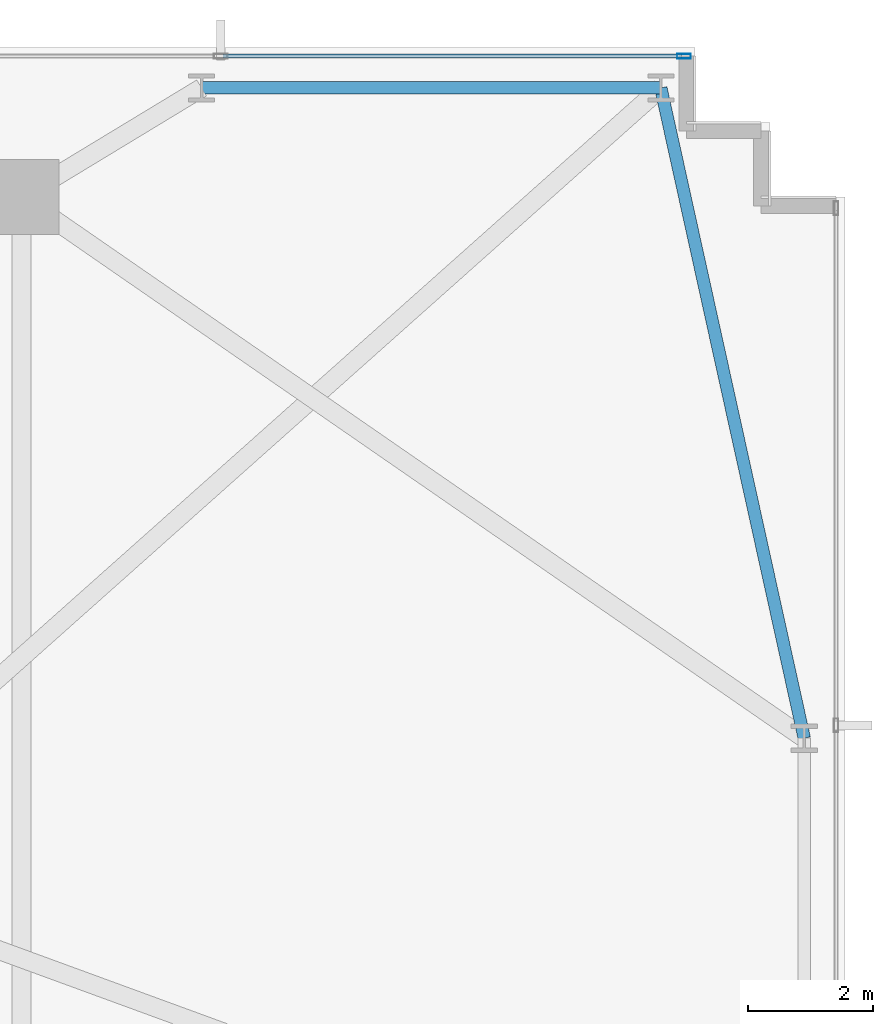
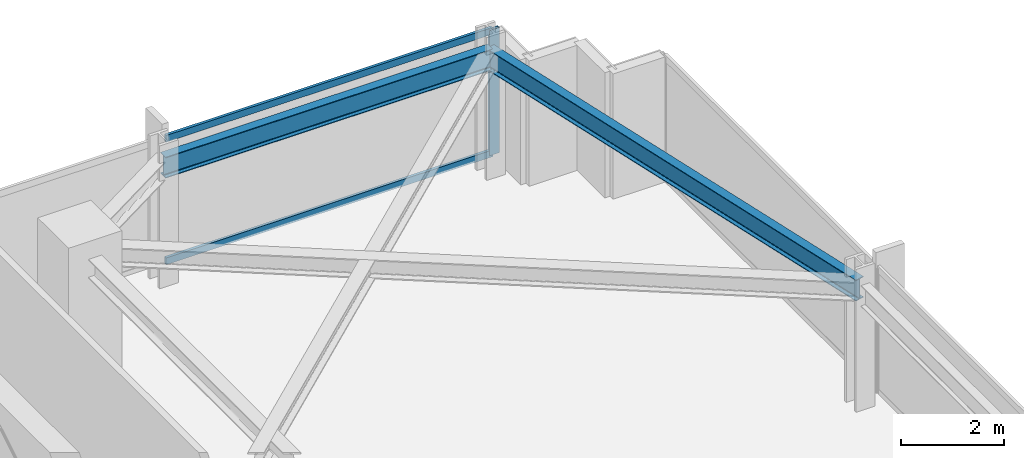
# One storey, part 21 of 32: 3 members, 2 beams, 1 element without a shape of its own.
"""IFC4 building model written with IfcOpenShell, lengths in metres."""

import ifcopenshell
import ifcopenshell.guid

model = None  # the IFC model being written
_history = None  # IfcOwnerHistory: only IFC2X3 demands one
_inside = {}  # id of a spatial element -> (the spatial element, [elements in it])
_under = {}  # id of a project, library or spatial element -> (it, [spatial elements below it])
_declared = {}  # id of a project -> (the project, [libraries it declares])
_typed = {}  # id of a type object -> (the type object, [elements of that type])
_made_of = {}  # id of a material, layer set ... -> (it, [elements and type objects made of it])


def new_model(schema):
    """Start an empty IFC model of exactly this schema.

    Asked for "IFC4X3", IfcOpenShell would pick the latest addendum, in which some entities
    have other attributes; the version numbers below select the first issue.
    IFC2X3 requires an IfcOwnerHistory on every rooted entity: one is made here for all.
    """
    global model, _history
    if schema == "IFC4X3":
        model = ifcopenshell.file(schema_version=(4, 3, 0, 0))
    else:
        model = ifcopenshell.file(schema=schema)
    _inside.clear()
    _under.clear()
    _declared.clear()
    _typed.clear()
    _made_of.clear()
    _history = None
    if model.schema == "IFC2X3":
        org = make("IfcOrganization", Name="unknown")
        user = make(
            "IfcPersonAndOrganization",
            ThePerson=make("IfcPerson", FamilyName="unknown"),
            TheOrganization=org,
        )
        app = make(
            "IfcApplication",
            ApplicationDeveloper=org,
            Version="unknown",
            ApplicationFullName="unknown",
            ApplicationIdentifier="unknown",
        )
        _history = make(
            "IfcOwnerHistory",
            OwningUser=user,
            OwningApplication=app,
            ChangeAction="ADDED",
            CreationDate=0,
        )
    return model


def make(cls, **values):
    """One entity of the class cls with the attributes given. An attribute that is None is left unset."""
    return model.create_entity(
        cls, **{name: value for name, value in values.items() if value is not None}
    )


def rooted(cls, **values):
    """An entity with a GlobalId (a new one), such as an element, a storey or a relation."""
    return make(cls, GlobalId=ifcopenshell.guid.new(), OwnerHistory=_history, **values)


def si_unit(unit_type, name, prefix=None):
    """IfcSIUnit, for example si_unit("LENGTHUNIT", "METRE", prefix="MILLI")."""
    return make("IfcSIUnit", UnitType=unit_type, Prefix=prefix, Name=name)


def assignment(units):
    """IfcUnitAssignment: the units of a project."""
    return None if units is None else make("IfcUnitAssignment", Units=units)


def point(xyz):
    """IfcCartesianPoint."""
    return None if xyz is None else make("IfcCartesianPoint", Coordinates=xyz)


def direction(xyz):
    """IfcDirection."""
    return None if xyz is None else make("IfcDirection", DirectionRatios=xyz)


def frame(location, z_axis=None, x_axis=None):
    """IfcAxis2Placement3D, a coordinate frame: its origin and axes. An axis left out is left unset."""
    return make(
        "IfcAxis2Placement3D",
        Location=point(location),
        Axis=direction(z_axis),
        RefDirection=direction(x_axis),
    )


def frame_2d(location, x_axis=None):
    """IfcAxis2Placement2D, a coordinate frame in the plane: its origin and x axis."""
    return make(
        "IfcAxis2Placement2D", Location=point(location), RefDirection=direction(x_axis)
    )


def origin():
    """The frame at (0, 0, 0) with its axes left unset."""
    return frame((0.0, 0.0, 0.0))


def origin_2d():
    """The frame at (0, 0) in the plane with its x axis left unset."""
    return frame_2d((0.0, 0.0))


def place(relative_to, where):
    """IfcLocalPlacement: puts the frame where relative to a parent placement (None: the world)."""
    return make(
        "IfcLocalPlacement", PlacementRelTo=relative_to, RelativePlacement=where
    )


def context(
    kind, dimensions, precision=None, world=None, true_north=None, identifier=None
):
    """IfcGeometricRepresentationContext, for example the 3D "Model" context."""
    return make(
        "IfcGeometricRepresentationContext",
        ContextIdentifier=identifier,
        ContextType=kind,
        CoordinateSpaceDimension=dimensions,
        Precision=precision,
        WorldCoordinateSystem=world,
        TrueNorth=true_north,
    )


def subcontext(parent, identifier, kind, view, scale=None):
    """IfcGeometricRepresentationSubContext, for example "Body" below "Model"."""
    return make(
        "IfcGeometricRepresentationSubContext",
        ContextIdentifier=identifier,
        ContextType=kind,
        ParentContext=parent,
        TargetScale=scale,
        TargetView=view,
    )


def project(units=None, contexts=None):
    """IfcProject with its units and contexts."""
    return rooted(
        "IfcProject",
        Name="project",
        RepresentationContexts=contexts,
        UnitsInContext=assignment(units),
    )


def spatial(cls, under=None, at=None, **own):
    """A site, building, storey or space (cls), placed at a placement, below another one or the project."""
    s = rooted(cls, ObjectPlacement=at, **own)
    if under is not None:
        _under.setdefault(under.id(), (under, []))[1].append(s)
    return s


def profile(cls, at=None, kind="AREA", **sizes):
    """A parametric profile (cls). Its sizes go by their IFC names, for example OverallWidth=200.0."""
    return make(cls, ProfileType=kind, Position=at, **sizes)


def hollow_rectangle(**sizes):
    """IfcRectangleHollowProfileDef."""
    return profile("IfcRectangleHollowProfileDef", **sizes)


def i_section(**sizes):
    """IfcIShapeProfileDef."""
    return profile("IfcIShapeProfileDef", **sizes)


def extrude(swept, where, along, depth):
    """IfcExtrudedAreaSolid: the profile swept, set in the frame where, extruded along a direction by depth."""
    return make(
        "IfcExtrudedAreaSolid",
        SweptArea=swept,
        Position=where,
        ExtrudedDirection=direction(along),
        Depth=depth,
    )


def shape(context_of_items, identifier, shape_type, items):
    """IfcShapeRepresentation: the items that make up one representation, for example the "Body"."""
    return make(
        "IfcShapeRepresentation",
        ContextOfItems=context_of_items,
        RepresentationIdentifier=identifier,
        RepresentationType=shape_type,
        Items=items,
    )


def material(Name=None, Category=None):
    """IfcMaterial."""
    return make("IfcMaterial", Name=Name, Category=Category)


def material_profile(
    of_material, cross_section, Name=None, Category=None, Priority=None
):
    """IfcMaterialProfile: a cross section and its material."""
    return make(
        "IfcMaterialProfile",
        Name=Name,
        Material=of_material,
        Profile=cross_section,
        Priority=Priority,
        Category=Category,
    )


def profile_set(profiles, Name=None, composite=None):
    """IfcMaterialProfileSet."""
    return make(
        "IfcMaterialProfileSet",
        Name=Name,
        MaterialProfiles=profiles,
        CompositeProfile=composite,
    )


def made_of(thing, what):
    """Note that an element or type object is made of a material, layer set ...; save() writes the relation."""
    if what is not None:
        _made_of.setdefault(what.id(), (what, []))[1].append(thing)
    return thing


def type_object(cls, material=None, **own):
    """A type object (cls), such as IfcWallType, which elements share."""
    return made_of(rooted(cls, **own), material)


def element(
    cls,
    number,
    at=None,
    inside=None,
    cuts=None,
    type_object=None,
    material=None,
    context=None,
    identifier="Body",
    shape_type=None,
    held_by="IfcProductDefinitionShape",
    body=None,
    shapes=None,
    **own,
):
    """One element of the class cls, such as IfcWall. Its Tag is "e" and its number.

    at: its placement. inside: the storey or other place that contains it. cuts: it is an
    opening in that element (IfcRelVoidsElement). A single representation is given by context,
    identifier, shape_type and body (its items); several are given by shapes. held_by: the class
    of the entity that holds the representations. save() writes the other relations.
    """
    e = rooted(cls, Tag="e%d" % number, ObjectPlacement=at, **own)
    if body is not None:
        shapes = [shape(context, identifier, shape_type, body)]
    if shapes is not None:
        e.Representation = make(held_by, Representations=shapes)
    if inside is not None:
        _inside.setdefault(inside.id(), (inside, []))[1].append(e)
    if cuts is not None:
        rooted(
            "IfcRelVoidsElement", RelatingBuildingElement=cuts, RelatedOpeningElement=e
        )
    if type_object is not None:
        _typed.setdefault(type_object.id(), (type_object, []))[1].append(e)
    return made_of(e, material)


def aggregate(whole, parts):
    """IfcRelAggregates: a whole, such as a stair, and the parts it consists of."""
    return rooted("IfcRelAggregates", RelatingObject=whole, RelatedObjects=parts)


def save(model, path):
    """Write the relations noted so far, then the file.

    IfcRelAggregates (storeys below a building ...), IfcRelContainedInSpatialStructure (elements
    in a storey), IfcRelDefinesByType, IfcRelAssociatesMaterial and IfcRelDeclares: one each for
    every whole, place, type object, material and project.
    """
    for whole, parts in _under.values():
        aggregate(whole, parts)
    for where, things in _inside.values():
        rooted(
            "IfcRelContainedInSpatialStructure",
            RelatedElements=things,
            RelatingStructure=where,
        )
    for kind, things in _typed.values():
        rooted("IfcRelDefinesByType", RelatedObjects=things, RelatingType=kind)
    for what, things in _made_of.values():
        rooted("IfcRelAssociatesMaterial", RelatedObjects=things, RelatingMaterial=what)
    for by, libraries in _declared.values():
        rooted("IfcRelDeclares", RelatingContext=by, RelatedDefinitions=libraries)
    model.write(path)


model = new_model("IFC4")

# Units and contexts
model_context = context("Model", 3, precision=1e-05, world=origin(), true_north=direction((0.0, 1.0)))
body_context = subcontext(model_context, "Body", "Model", "MODEL_VIEW")
ifc_project = project(units=[si_unit("LENGTHUNIT", "METRE"), si_unit("AREAUNIT", "SQUARE_METRE"), si_unit("VOLUMEUNIT", "CUBIC_METRE"), si_unit("PLANEANGLEUNIT", "RADIAN"), si_unit("MASSUNIT", "GRAM", prefix="KILO")], contexts=[model_context])

# Site, building, storey
site_placement = place(None, origin())
site = spatial("IfcSite", under=ifc_project, at=site_placement, CompositionType="ELEMENT")
building_placement = place(site_placement, origin())
building = spatial("IfcBuilding", under=site, at=building_placement, Name="Yelkora Congress Tower", CompositionType="ELEMENT")
storey_placement = place(building_placement, frame((0.0, 0.0, 74.60009765625)))
storey = spatial("IfcBuildingStorey", under=building, at=storey_placement, Name="L19", CompositionType="ELEMENT", Elevation=74.60009765625)

# Beams
ifc_material_1 = material(Name="Steel S355J2", Category="steel")
ifc_material_profile_1 = material_profile(ifc_material_1, i_section(OverallWidth=0.199951171875, OverallDepth=0.5, WebThickness=0.01025390625, FlangeThickness=0.01611328125, FilletRadius=0.02099609375, at=origin_2d()), Name="IPE 500")
ifc_profile_set_1 = profile_set([ifc_material_profile_1], Name="Steel S355J2")
beam_type = type_object("IfcBeamType", Name="BM-SPAN-IPE500", PredefinedType="SPANDREL", material=ifc_profile_set_1)
beam_1_placement = place(storey_placement, frame((70.14990234375, 37.52490234375, 2.72998046875), z_axis=(-0.215424087425, 0.97652058993, 0.0), x_axis=(-0.97652058993, -0.215424087425, 0.0)))
element("IfcBeam", 1, at=beam_1_placement, inside=storey, type_object=beam_type, Name="L19 Perimeter Beam 13", PredefinedType="SPANDREL", context=body_context, shape_type="SweptSolid", body=[
    extrude(i_section(OverallWidth=0.199951171875, OverallDepth=0.5, WebThickness=0.01025390625, FlangeThickness=0.01611328125, FilletRadius=0.02099609375, at=origin_2d()), origin(), (0.0, 0.0, 1.0), 10.67578125),
])
beam_2_placement = place(storey_placement, frame((67.85009765625, 47.949951171875, 2.72998046875), z_axis=(-1.0, 0.0, 0.0), x_axis=(0.0, -1.0, 0.0)))
element("IfcBeam", 2, at=beam_2_placement, inside=storey, type_object=beam_type, Name="L19 Perimeter Beam 14", PredefinedType="SPANDREL", context=body_context, shape_type="SweptSolid", body=[
    extrude(i_section(OverallWidth=0.199951171875, OverallDepth=0.5, WebThickness=0.01025390625, FlangeThickness=0.01611328125, FilletRadius=0.02099609375, at=origin_2d()), origin(), (0.0, 0.0, 1.0), 7.362548828125),
])

# Curtain wall, members
ifc_material_2 = material(Name="Anodised aluminium and insulated glass", Category="aluminium")
curtain_wall_type = type_object("IfcCurtainWallType", Name="CW-SYS-B1", PredefinedType="NOTDEFINED", material=ifc_material_2)
curtain_wall_placement = place(storey_placement, origin())
curtain_wall = element("IfcCurtainWall", 3, at=curtain_wall_placement, inside=storey, type_object=curtain_wall_type, Name="L19 Unitised Curtain Wall 10", PredefinedType="NOTDEFINED")
ifc_material_3 = material(Name="Anodised aluminium 6063-T6", Category="aluminium")
ifc_material_profile_2 = material_profile(ifc_material_3, hollow_rectangle(XDim=0.074951171875, YDim=0.219970703125, WallThickness=0.0048828125, at=origin_2d()), Name="ALU 75x220x5")
ifc_profile_set_2 = profile_set([ifc_material_profile_2], Name="Anodised aluminium 6063-T6")
member_type_1 = type_object("IfcMemberType", Name="MEM-ML-B1", PredefinedType="MULLION", material=ifc_profile_set_2)
member_1_placement = place(storey_placement, frame((68.222412109375, 48.4599609375, 0.0), z_axis=(0.0, 0.0, 1.0), x_axis=(0.0, 1.0, 0.0)))
member_1 = element("IfcMember", 4, at=member_1_placement, type_object=member_type_1, Name="CW-B1 mullion 9", PredefinedType="MULLION", context=body_context, shape_type="SweptSolid", body=[
    extrude(hollow_rectangle(XDim=0.074951171875, YDim=0.219970703125, WallThickness=0.0048828125, at=origin_2d()), origin(), (0.0, 0.0, 1.0), 2.97998046875),
])
ifc_material_profile_3 = material_profile(ifc_material_3, hollow_rectangle(XDim=0.06494140625, YDim=0.159912109375, WallThickness=0.00390625, at=origin_2d()), Name="ALU 65x160x4")
ifc_profile_set_3 = profile_set([ifc_material_profile_3], Name="Anodised aluminium 6063-T6")
member_type_2 = type_object("IfcMemberType", Name="MEM-TR-B1", PredefinedType="USERDEFINED", material=ifc_profile_set_3)
member_2_placement = place(storey_placement, frame((60.83251953125, 48.4599609375, 0.032470703125), z_axis=(1.0, 0.0, 0.0), x_axis=(0.0, 1.0, 0.0)))
member_2 = element("IfcMember", 5, at=member_2_placement, type_object=member_type_2, Name="CW-B1 transom 8.1", ObjectType="TRANSOM", PredefinedType="USERDEFINED", context=body_context, shape_type="SweptSolid", body=[
    extrude(hollow_rectangle(XDim=0.06494140625, YDim=0.159912109375, WallThickness=0.00390625, at=origin_2d()), origin(), (0.0, 0.0, 1.0), 7.3525390625),
])
member_3_placement = place(storey_placement, frame((60.83251953125, 48.4599609375, 2.947509765625), z_axis=(1.0, 0.0, 0.0), x_axis=(0.0, 1.0, 0.0)))
member_3 = element("IfcMember", 6, at=member_3_placement, type_object=member_type_2, Name="CW-B1 transom 8.2", ObjectType="TRANSOM", PredefinedType="USERDEFINED", context=body_context, shape_type="SweptSolid", body=[
    extrude(hollow_rectangle(XDim=0.06494140625, YDim=0.159912109375, WallThickness=0.00390625, at=origin_2d()), origin(), (0.0, 0.0, 1.0), 7.3525390625),
])
aggregate(curtain_wall, [member_1, member_2, member_3])

save(model, "model.ifc")
